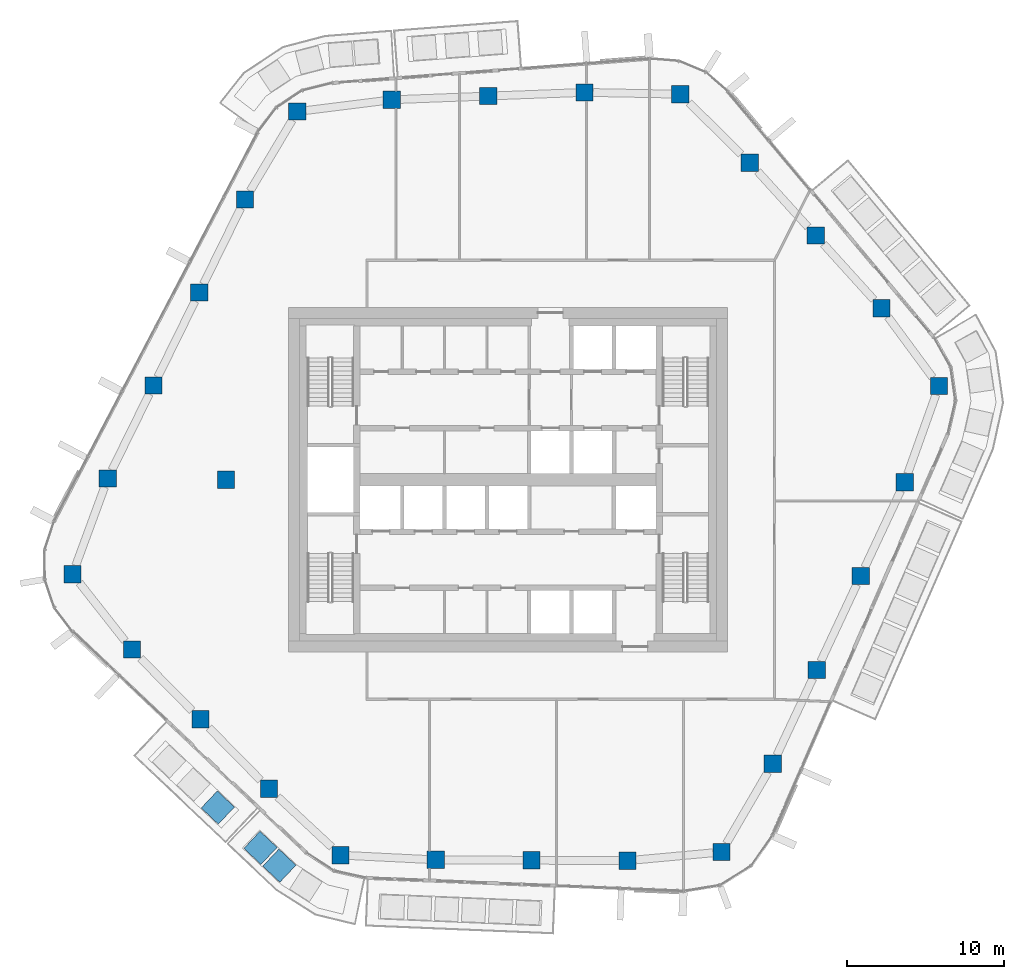
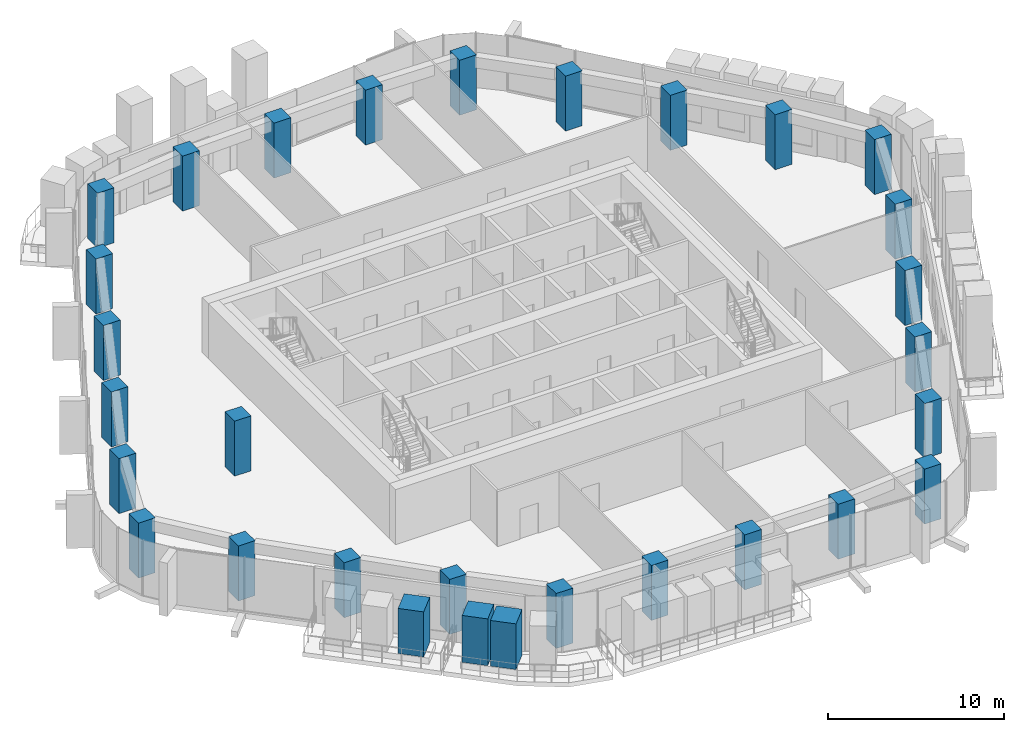
# One storey, part 1 of 20: 27 columns, 3 members.
"""IFC4 building model written with IfcOpenShell, lengths in metres."""

from ifc_helpers import new_model, si_unit, direction, frame, origin, origin_2d, place, context, subcontext, project, spatial, rectangle, extrude, material, material_profile, profile_set, type_object, element, save


model = new_model("IFC4")

# Units and contexts
model_context = context("Model", 3, precision=1e-05, world=origin(), true_north=direction((0.0, 1.0)))
body_context = subcontext(model_context, "Body", "Model", "MODEL_VIEW")
ifc_project = project(units=[si_unit("LENGTHUNIT", "METRE"), si_unit("AREAUNIT", "SQUARE_METRE"), si_unit("VOLUMEUNIT", "CUBIC_METRE"), si_unit("PLANEANGLEUNIT", "RADIAN"), si_unit("MASSUNIT", "GRAM", prefix="KILO")], contexts=[model_context])

# Site, building, storey
site_placement = place(None, origin())
site = spatial("IfcSite", under=ifc_project, at=site_placement, CompositionType="ELEMENT")
building_placement = place(site_placement, origin())
building = spatial("IfcBuilding", under=site, at=building_placement, Name="Dongbaek Canopy Tower", CompositionType="ELEMENT")
storey_placement = place(building_placement, frame((0.0, 0.0, 249.60009765625)))
storey = spatial("IfcBuildingStorey", under=building, at=storey_placement, Name="L52", CompositionType="ELEMENT", Elevation=249.60009765625)

# Columns
ifc_material_1 = material(Name="Concrete C70", Category="concrete")
ifc_material_profile_1 = material_profile(ifc_material_1, rectangle(XDim=1.10009765625, YDim=1.10009765625, at=origin_2d()), Name="RC COLUMN 1100x1100 C70")
ifc_profile_set_1 = profile_set([ifc_material_profile_1], Name="Concrete C70")
column_type = type_object("IfcColumnType", Name="RC COLUMN 1100x1100 C70", PredefinedType="COLUMN", material=ifc_profile_set_1)
for number, where, z_axis, x_axis, name in (
    (1, (13.612060546875, -23.74609375, 0.0), (0.0, 0.0, 1.0), (1.0, 0.0, 0.0), "COL:CZ4-01:L52"),
    (2, (7.615966796875, -24.300048828125, 0.0), (0.0, 0.0, 1.0), (1.0, 0.0, 0.0), "COL:CZ4-02:L52"),
    (3, (1.501953125, -24.27197265625, 0.0), (0.0, 0.0, 1.0), (1.0, 0.0, 0.0), "COL:CZ4-03:L52"),
    (4, (-4.611083984375, -24.24609375, 0.0), (0.0, 0.0, 1.0), (1.0, 0.0, 0.0), "COL:CZ4-04:L52"),
    (5, (-10.697021484375, -23.946044921875, 0.0), (0.0, 0.0, 1.0), (1.0, 0.0, 0.0), "COL:CZ4-05:L52"),
    (6, (-15.2470703125, -19.714111328125, 0.0), (0.0, 0.0, 1.0), (1.0, 0.0, 0.0), "COL:CZ4-06:L52"),
    (7, (-19.6220703125, -15.27197265625, 0.0), (0.0, 0.0, 1.0), (1.0, 0.0, 0.0), "COL:CZ4-07:L52"),
    (8, (-23.9970703125, -10.8291015625, 0.0), (0.0, 0.0, 1.0), (1.0, 0.0, 0.0), "COL:CZ4-08:L52"),
    (9, (-27.781982421875, -6.02001953125, 0.0), (0.0, 0.0, 1.0), (1.0, 0.0, 0.0), "COL:CZ4-09:L52"),
    (10, (-25.5400390625, 0.075927734375, 0.0), (0.0, 0.0, 1.0), (1.0, 0.0, 0.0), "COL:CZ4-10:L52"),
    (11, (-22.62109375, 6.010986328125, 0.0), (0.0, 0.0, 1.0), (1.0, 0.0, 0.0), "COL:CZ4-11:L52"),
    (12, (-19.701904296875, 11.945068359375, 0.0), (0.0, 0.0, 1.0), (1.0, 0.0, 0.0), "COL:CZ4-12:L52"),
    (13, (-16.783935546875, 17.8779296875, 0.0), (0.0, 0.0, 1.0), (1.0, 0.0, 0.0), "COL:CZ4-13:L52"),
    (14, (-13.44189453125, 23.490966796875, 0.0), (0.0, 0.0, 1.0), (1.0, 0.0, 0.0), "COL:CZ4-14:L52"),
    (15, (-7.4150390625, 24.242919921875, 0.0), (0.0, 0.0, 1.0), (1.0, 0.0, 0.0), "COL:CZ4-15:L52"),
    (16, (-1.26611328125, 24.47900390625, 0.0), (0.0, 0.0, 1.0), (1.0, 0.0, 0.0), "COL:CZ4-16:L52"),
    (17, (4.883056640625, 24.714111328125, 0.0), (0.0, 0.0, 1.0), (1.0, 0.0, 0.0), "COL:CZ4-17:L52"),
    (18, (10.989990234375, 24.59912109375, 0.0), (0.0, 0.0, 1.0), (1.0, 0.0, 0.0), "COL:CZ4-18:L52"),
    (19, (15.41796875, 20.22900390625, 0.0), (0.0, 0.0, 1.0), (1.0, 0.0, 0.0), "COL:CZ4-19:L52"),
    (20, (19.625, 15.583984375, 0.0), (0.0, 0.0, 1.0), (1.0, 0.0, 0.0), "COL:CZ4-20:L52"),
    (21, (23.8310546875, 10.93896484375, 0.0), (0.0, 0.0, 1.0), (1.0, 0.0, 0.0), "COL:CZ4-21:L52"),
    (22, (27.491943359375, 5.97705078125, 0.0), (0.0, 0.0, 1.0), (1.0, 0.0, 0.0), "COL:CZ4-22:L52"),
    (23, (25.302001953125, -0.152099609375, 0.0), (0.0, 0.0, 1.0), (1.0, 0.0, 0.0), "COL:CZ4-23:L52"),
    (24, (22.4990234375, -6.138916015625, 0.0), (0.0, 0.0, 1.0), (1.0, 0.0, 0.0), "COL:CZ4-24:L52"),
    (25, (19.695068359375, -12.126953125, 0.0), (0.0, 0.0, 1.0), (1.0, 0.0, 0.0), "COL:CZ4-25:L52"),
    (26, (16.889892578125, -18.114013671875, 0.0), (0.0, 0.0, 1.0), (1.0, 0.0, 0.0), "COL:CZ4-26:L52"),
    (27, (-18.0, 0.0, 0.0), (0.0, 0.0, 1.0), (1.0, 0.0, 0.0), "COL:CIZ4-01:L52"),
):
    element("IfcColumn", number, at=place(storey_placement, frame(where, z_axis=z_axis, x_axis=x_axis)), inside=storey, type_object=column_type, Name=name, PredefinedType="COLUMN", context=body_context, shape_type="SweptSolid", body=[
        extrude(rectangle(XDim=1.10009765625, YDim=1.10009765625, at=origin_2d()), origin(), (0.0, 0.0, 1.0), 3.81982421875),
    ])

# Members
ifc_material_2 = material(Name="Concrete C40/50 planter mass with planting", Category="concrete")
ifc_material_profile_2 = material_profile(ifc_material_2, rectangle(XDim=1.5, YDim=1.5, at=origin_2d()), Name="Terrace PLANTER shrub mass 1500 x 1500")
ifc_profile_set_2 = profile_set([ifc_material_profile_2], Name="Concrete C40/50 planter mass with planting")
member_type = type_object("IfcMemberType", Name="Terrace PLANTER shrub mass 1500 x 1500", PredefinedType="USERDEFINED", material=ifc_profile_set_2)
member_1_placement = place(storey_placement, frame((-18.51611328125, -20.908447265625, 0.419921875), z_axis=(0.0, 0.0, 1.0), x_axis=(-0.687304953463, -0.72636898402, 0.0)))
element("IfcMember", 28, at=member_1_placement, inside=storey, type_object=member_type, Name="Planter shrubs L52 3.3", ObjectType="PLANTER", PredefinedType="USERDEFINED", context=body_context, shape_type="SweptSolid", body=[
    extrude(rectangle(XDim=1.5, YDim=1.5, at=origin_2d()), origin(), (0.0, 0.0, 1.0), 3.1298828125),
])
member_2_placement = place(storey_placement, frame((-15.793701171875, -23.482177734375, 0.419921875), z_axis=(0.0, 0.0, 1.0), x_axis=(-0.685817459047, -0.727773600007, 0.0)))
element("IfcMember", 29, at=member_2_placement, inside=storey, type_object=member_type, Name="Planter shrubs L52 8.1", ObjectType="PLANTER", PredefinedType="USERDEFINED", context=body_context, shape_type="SweptSolid", body=[
    extrude(rectangle(XDim=1.5, YDim=1.5, at=origin_2d()), origin(), (0.0, 0.0, 1.0), 3.25),
])
member_3_placement = place(storey_placement, frame((-14.589599609375, -24.616943359375, 0.419921875), z_axis=(0.0, 0.0, 1.0), x_axis=(-0.685817459047, -0.727773600007, 0.0)))
element("IfcMember", 30, at=member_3_placement, inside=storey, type_object=member_type, Name="Planter shrubs L52 8.2", ObjectType="PLANTER", PredefinedType="USERDEFINED", context=body_context, shape_type="SweptSolid", body=[
    extrude(rectangle(XDim=1.5, YDim=1.5, at=origin_2d()), origin(), (0.0, 0.0, 1.0), 3.169921875),
])

save(model, "model.ifc")
